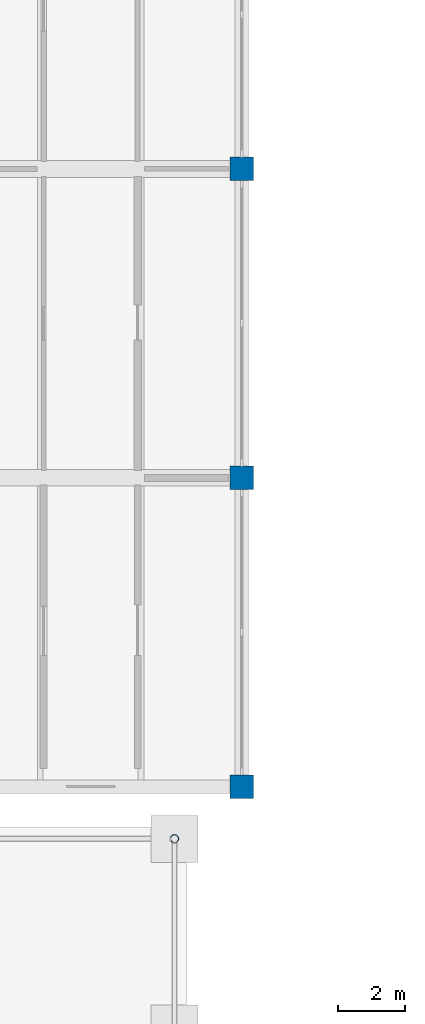
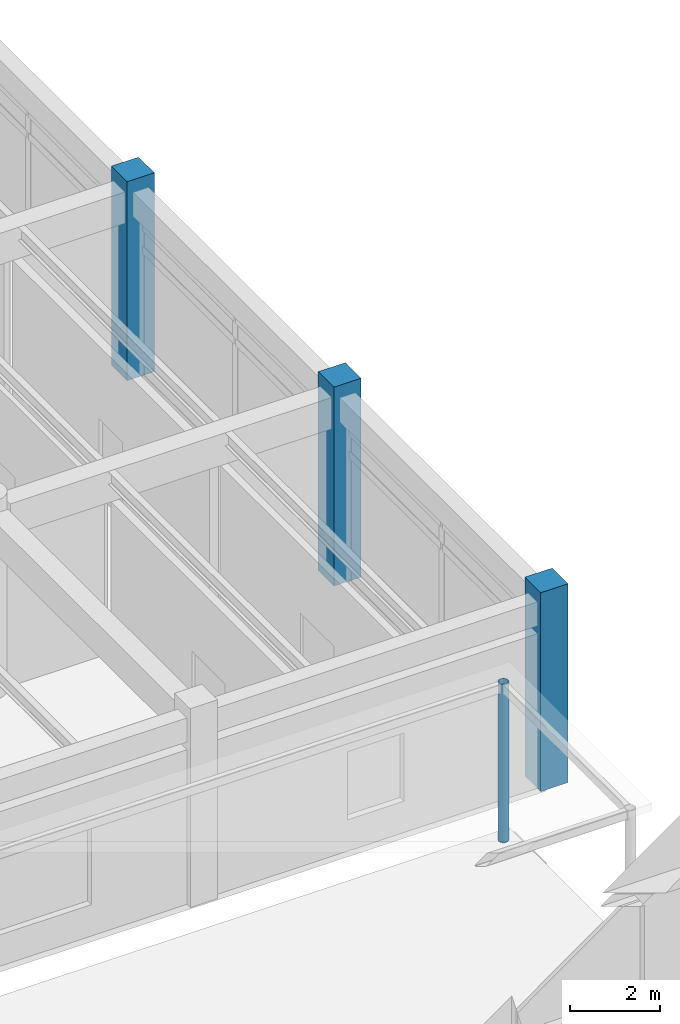
# One storey, part 13 of 76: 4 columns.
"""IFC4 building model written with IfcOpenShell, lengths in metres."""

from ifc_helpers import new_model, si_unit, direction, frame, origin, origin_2d, place, context, subcontext, project, spatial, rectangle, hollow_circle, extrude, material, material_profile, profile_set, type_object, element, save


model = new_model("IFC4")

# Units and contexts
model_context = context("Model", 3, precision=1e-05, world=origin(), true_north=direction((0.0, 1.0)))
body_context = subcontext(model_context, "Body", "Model", "MODEL_VIEW")
ifc_project = project(units=[si_unit("LENGTHUNIT", "METRE"), si_unit("AREAUNIT", "SQUARE_METRE"), si_unit("VOLUMEUNIT", "CUBIC_METRE"), si_unit("PLANEANGLEUNIT", "RADIAN"), si_unit("MASSUNIT", "GRAM", prefix="KILO")], contexts=[model_context])

# Site, building, storey
site_placement = place(None, origin())
site = spatial("IfcSite", under=ifc_project, at=site_placement, CompositionType="ELEMENT")
building_placement = place(site_placement, origin())
building = spatial("IfcBuilding", under=site, at=building_placement, Name="Bozkorgan Art Gallery", CompositionType="ELEMENT")
storey_placement = place(building_placement, origin())
storey = spatial("IfcBuildingStorey", under=building, at=storey_placement, Name="L00", CompositionType="ELEMENT", Elevation=0.0)

# Columns
ifc_material_1 = material(Name="Concrete C40/50", Category="concrete")
ifc_material_profile_1 = material_profile(ifc_material_1, rectangle(XDim=0.699951171875, YDim=0.699951171875, at=origin_2d()), Name="RC 700x700")
ifc_profile_set_1 = profile_set([ifc_material_profile_1], Name="Concrete C40/50")
column_type_1 = type_object("IfcColumnType", Name="COLUMN-C-73", PredefinedType="COLUMN", material=ifc_profile_set_1)
for number, where, z_axis, x_axis, name in (
    (1, (101.0, 38.39990234375, 0.0), (0.0, 0.0, 1.0), (1.0, 0.0, 0.0), "V4 L00 column (101.0, 38.4)"),
    (2, (101.0, 47.60009765625, 0.0), (0.0, 0.0, 1.0), (1.0, 0.0, 0.0), "V4 L00 column (101.0, 47.6)"),
    (3, (101.0, 56.800048828125, 0.0), (0.0, 0.0, 1.0), (1.0, 0.0, 0.0), "V4 L00 column (101.0, 56.8)"),
):
    element("IfcColumn", number, at=place(storey_placement, frame(where, z_axis=z_axis, x_axis=x_axis)), inside=storey, type_object=column_type_1, Name=name, PredefinedType="COLUMN", context=body_context, shape_type="SweptSolid", body=[
        extrude(rectangle(XDim=0.699951171875, YDim=0.699951171875, at=origin_2d()), origin(), (0.0, 0.0, 1.0), 5.39990234375),
    ])
ifc_material_2 = material(Name="Steel S355J2", Category="steel")
ifc_material_profile_2 = material_profile(ifc_material_2, hollow_circle(Radius=0.122314453125, WallThickness=0.010009765625, at=origin_2d()), Name="CHS 244.5x10")
ifc_profile_set_2 = profile_set([ifc_material_profile_2], Name="Steel S355J2")
column_type_2 = type_object("IfcColumnType", Name="COLUMN-WC-87", PredefinedType="COLUMN", material=ifc_profile_set_2)
column_placement = place(storey_placement, frame((99.0, 36.85009765625, 0.0), z_axis=(0.0, 0.0, 1.0), x_axis=(1.0, 0.0, 0.0)))
element("IfcColumn", 4, at=column_placement, inside=storey, type_object=column_type_2, Name="Auditorium Foyer Covered Walk column 3", PredefinedType="COLUMN", context=body_context, shape_type="SweptSolid", body=[
    extrude(hollow_circle(Radius=0.122314453125, WallThickness=0.010009765625, at=origin_2d()), origin(), (0.0, 0.0, 1.0), 4.300048828125),
])

save(model, "model.ifc")
